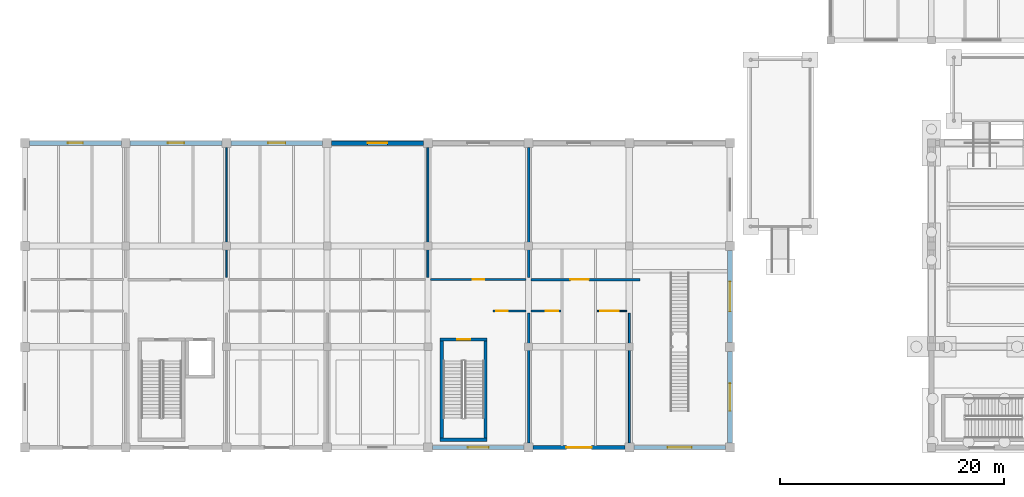
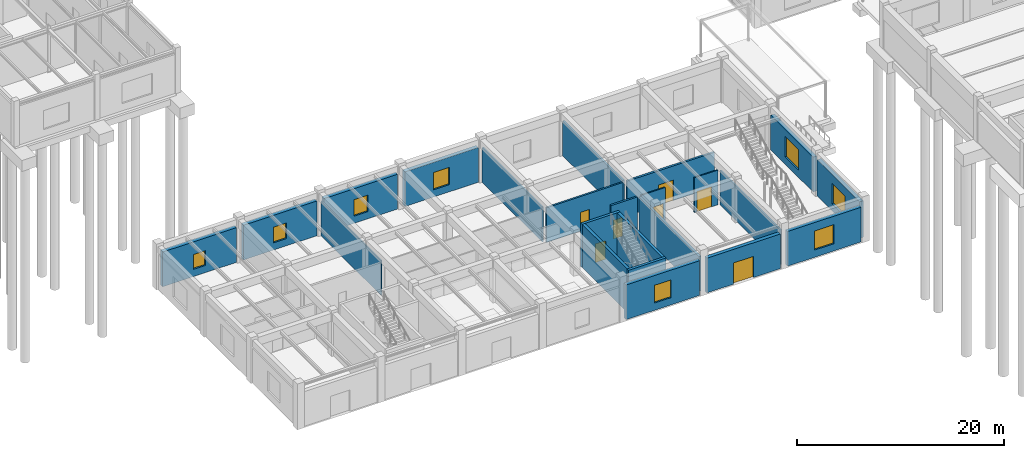
# One storey, part 54 of 76: 23 walls, 8 windows, 7 doors, 15 openings.
"""IFC4 building model written with IfcOpenShell, lengths in metres."""

from ifc_helpers import new_model, si_unit, direction, frame, frame_2d, origin, place, context, subcontext, project, spatial, rectangle, extrude, material, layer, layer_set, type_object, element, fill, save


model = new_model("IFC4")

# Units and contexts
model_context = context("Model", 3, precision=1e-05, world=origin(), true_north=direction((0.0, 1.0)))
body_context = subcontext(model_context, "Body", "Model", "MODEL_VIEW")
ifc_project = project(units=[si_unit("LENGTHUNIT", "METRE"), si_unit("AREAUNIT", "SQUARE_METRE"), si_unit("VOLUMEUNIT", "CUBIC_METRE"), si_unit("PLANEANGLEUNIT", "RADIAN"), si_unit("MASSUNIT", "GRAM", prefix="KILO")], contexts=[model_context])

# Site, building, storey
site_placement = place(None, origin())
site = spatial("IfcSite", under=ifc_project, at=site_placement, CompositionType="ELEMENT")
building_placement = place(site_placement, origin())
building = spatial("IfcBuilding", under=site, at=building_placement, Name="Bozkorgan Art Gallery", CompositionType="ELEMENT")
storey_placement = place(building_placement, origin())
storey = spatial("IfcBuildingStorey", under=building, at=storey_placement, Name="L00", CompositionType="ELEMENT", Elevation=0.0)

# Wall, opening, door
ifc_material_1 = material(Name="Concrete C40/50", Category="concrete")
ifc_layer_1 = layer(ifc_material_1, 0.300048828125, Name="Concrete C40/50")
ifc_layer_set_1 = layer_set([ifc_layer_1], Name="Concrete C40/50")
wall_type_1 = type_object("IfcWallType", Name="IWALL-CW-44", PredefinedType="SHEAR", material=ifc_layer_set_1)
wall_1_placement = place(storey_placement, frame((39.10009765625, 11.64990234375, 0.0), z_axis=(0.0, 0.0, 1.0), x_axis=(1.0, 0.0, 0.0)))
wall_1 = element("IfcWall", 1, at=wall_1_placement, inside=storey, type_object=wall_type_1, Name="CORE7 L00 stair core north shear wall", PredefinedType="SHEAR", context=body_context, shape_type="SweptSolid", body=[
    extrude(rectangle(XDim=4.199951171875, YDim=0.300048828125, at=frame_2d((2.10009765625, 0.0))), origin(), (0.0, 0.0, 1.0), 5.1201171875),
])
opening_1_placement = place(wall_1_placement, frame((1.52490234375, 0.0, 0.0)))
opening_1 = element("IfcOpeningElement", 2, at=opening_1_placement, cuts=wall_1, Name="Opening SD-41", PredefinedType="OPENING", context=body_context, shape_type="SweptSolid", body=[
    extrude(rectangle(XDim=1.14990234375, YDim=2.199951171875, at=frame_2d((0.574951171875, 1.10009765625))), frame((0.0, 0.16015625, 0.0), z_axis=(0.0, -1.0, 0.0), x_axis=(1.0, 0.0, 0.0)), (0.0, 0.0, 1.0), 0.320068359375),
])
ifc_material_2 = material(Name="Steel S355J2", Category="steel")
door_type_1 = type_object("IfcDoorType", Name="IDOOR-SD-41", OperationType="NOTDEFINED", PredefinedType="DOOR", material=ifc_material_2)
door_1_placement = place(opening_1_placement, origin())
door_1 = element("IfcDoor", 3, at=door_1_placement, inside=storey, type_object=door_type_1, Name="ST12 L00 Fire Stair Door", OperationType="SINGLE_SWING_LEFT", OverallHeight=2.199951171875, OverallWidth=1.14990234375, PredefinedType="DOOR", context=body_context, shape_type="SweptSolid", body=[
    extrude(rectangle(XDim=1.14990234375, YDim=2.199951171875, at=frame_2d((0.574951171875, 1.10009765625))), frame((0.0, 0.02490234375, 0.0), z_axis=(0.0, -1.0, 0.0), x_axis=(1.0, 0.0, 0.0)), (0.0, 0.0, 1.0), 0.050048828125),
])
fill(opening_1, door_1)

# Walls
wall_2_placement = place(storey_placement, frame((39.10009765625, 2.699951171875, 0.0), z_axis=(0.0, 0.0, 1.0), x_axis=(1.0, 0.0, 0.0)))
element("IfcWall", 4, at=wall_2_placement, inside=storey, type_object=wall_type_1, Name="CORE7 L00 stair core S shear wall", PredefinedType="SHEAR", context=body_context, shape_type="SweptSolid", body=[
    extrude(rectangle(XDim=4.199951171875, YDim=0.300048828125, at=frame_2d((2.10009765625, 0.0))), origin(), (0.0, 0.0, 1.0), 5.1201171875),
])
for number, where, z_axis, x_axis, name in (
    (5, (39.25, 2.85009765625, 0.0), (0.0, 0.0, 1.0), (0.0, 1.0, 0.0), "CORE7 L00 stair core W shear wall"),
    (6, (43.14990234375, 2.85009765625, 0.0), (0.0, 0.0, 1.0), (0.0, 1.0, 0.0), "CORE7 L00 stair core E shear wall"),
):
    element("IfcWall", number, at=place(storey_placement, frame(where, z_axis=z_axis, x_axis=x_axis)), inside=storey, type_object=wall_type_1, Name=name, PredefinedType="SHEAR", context=body_context, shape_type="SweptSolid", body=[
        extrude(rectangle(XDim=8.64990234375, YDim=0.300048828125, at=frame_2d((4.324951171875, 0.0))), origin(), (0.0, 0.0, 1.0), 5.1201171875),
    ])

# Wall, opening, door
ifc_material_3 = material(Name="Acoustic Gypsum & Mineral Wool Partition")
ifc_layer_2 = layer(ifc_material_3, 0.22998046875, Name="Acoustic Gypsum & Mineral Wool Partition")
ifc_layer_set_2 = layer_set([ifc_layer_2], Name="Acoustic Gypsum & Mineral Wool Partition")
wall_type_2 = type_object("IfcWallType", Name="IWALL-PR-08", PredefinedType="PARTITIONING", material=ifc_layer_set_2)
wall_3_placement = place(storey_placement, frame((47.219970703125, 17.0, 0.0), z_axis=(0.0, 0.0, 1.0), x_axis=(1.0, 0.0, 0.0)))
wall_3 = element("IfcWall", 7, at=wall_3_placement, inside=storey, type_object=wall_type_2, Name="V1 L00 acoustic partition wall 35", PredefinedType="PARTITIONING", context=body_context, shape_type="SweptSolid", body=[
    extrude(rectangle(XDim=9.72998046875, YDim=0.22998046875, at=frame_2d((4.864990234375, 0.0))), origin(), (0.0, 0.0, 1.0), 4.094970703125),
])
opening_2_placement = place(wall_3_placement, frame((5.172607421875, 0.0, 0.0), z_axis=(0.0, 0.0, 1.0), x_axis=(-1.0, 0.0, 0.0)))
opening_2 = element("IfcOpeningElement", 8, at=opening_2_placement, cuts=wall_3, Name="Opening GD-38", PredefinedType="OPENING", context=body_context, shape_type="SweptSolid", body=[
    extrude(rectangle(XDim=1.659912109375, YDim=2.419921875, at=frame_2d((0.830078125, 1.2099609375))), frame((0.0, 0.125, 0.0), z_axis=(0.0, -1.0, 0.0), x_axis=(1.0, 0.0, 0.0)), (0.0, 0.0, 1.0), 0.25),
])
ifc_material_4 = material(Name="Oiled European Oak Joinery")
door_type_2 = type_object("IfcDoorType", Name="IDOOR-GD-38", OperationType="NOTDEFINED", PredefinedType="DOOR", material=ifc_material_4)
door_2_placement = place(opening_2_placement, origin())
door_2 = element("IfcDoor", 9, at=door_2_placement, inside=storey, type_object=door_type_2, Name="Cloakroom Reception Hall Door", OperationType="DOUBLE_DOOR_SINGLE_SWING", OverallHeight=2.419921875, OverallWidth=1.659912109375, PredefinedType="DOOR", context=body_context, shape_type="SweptSolid", body=[
    extrude(rectangle(XDim=1.659912109375, YDim=2.419921875, at=frame_2d((0.830078125, 1.2099609375))), frame((0.0, 0.02490234375, 0.0), z_axis=(0.0, -1.0, 0.0), x_axis=(1.0, 0.0, 0.0)), (0.0, 0.0, 1.0), 0.050048828125),
])
fill(opening_2, door_2)

ifc_layer_3 = layer(ifc_material_3, 0.2099609375, Name="Acoustic Gypsum & Mineral Wool Partition")
ifc_layer_set_3 = layer_set([ifc_layer_3], Name="Acoustic Gypsum & Mineral Wool Partition")
wall_type_3 = type_object("IfcWallType", Name="IWALL-PR-38", PredefinedType="PARTITIONING", material=ifc_layer_set_3)
wall_4_placement = place(storey_placement, frame((43.820068359375, 14.199951171875, 0.0), z_axis=(0.0, 0.0, 1.0), x_axis=(1.0, 0.0, 0.0)))
wall_4 = element("IfcWall", 10, at=wall_4_placement, inside=storey, type_object=wall_type_3, Name="V1 L00 acoustic partition wall 22", PredefinedType="PARTITIONING", context=body_context, shape_type="SweptSolid", body=[
    extrude(rectangle(XDim=2.9599609375, YDim=0.2099609375, at=frame_2d((1.47998046875, 0.0))), origin(), (0.0, 0.0, 1.0), 4.094970703125),
])
opening_3_placement = place(wall_4_placement, frame((0.300048828125, 0.0, 0.0)))
opening_3 = element("IfcOpeningElement", 11, at=opening_3_placement, cuts=wall_4, Name="Opening FD-60", PredefinedType="OPENING", context=body_context, shape_type="SweptSolid", body=[
    extrude(rectangle(XDim=1.0, YDim=2.199951171875, at=frame_2d((0.5, 1.10009765625))), frame((0.0, 0.114990234375, 0.0), z_axis=(0.0, -1.0, 0.0), x_axis=(1.0, 0.0, 0.0)), (0.0, 0.0, 1.0), 0.22998046875),
])
door_type_3 = type_object("IfcDoorType", Name="IDOOR-FD-60", OperationType="NOTDEFINED", PredefinedType="DOOR", material=ifc_material_4)
door_3_placement = place(opening_3_placement, origin())
door_3 = element("IfcDoor", 12, at=door_3_placement, inside=storey, type_object=door_type_3, Name="Museum Bookshop Door", OperationType="SINGLE_SWING_LEFT", OverallHeight=2.199951171875, OverallWidth=1.0, PredefinedType="DOOR", context=body_context, shape_type="SweptSolid", body=[
    extrude(rectangle(XDim=1.0, YDim=2.199951171875, at=frame_2d((0.5, 1.10009765625))), frame((0.0, 0.02490234375, 0.0), z_axis=(0.0, -1.0, 0.0), x_axis=(1.0, 0.0, 0.0)), (0.0, 0.0, 1.0), 0.050048828125),
])
fill(opening_3, door_3)

ifc_layer_4 = layer(ifc_material_3, 0.14990234375, Name="Acoustic Gypsum & Mineral Wool Partition")
ifc_layer_set_4 = layer_set([ifc_layer_4], Name="Acoustic Gypsum & Mineral Wool Partition")
wall_type_4 = type_object("IfcWallType", Name="IWALL-PR-55", PredefinedType="PARTITIONING", material=ifc_layer_set_4)
wall_5_placement = place(storey_placement, frame((47.219970703125, 14.199951171875, 0.0), z_axis=(0.0, 0.0, 1.0), x_axis=(1.0, 0.0, 0.0)))
wall_5 = element("IfcWall", 13, at=wall_5_placement, inside=storey, type_object=wall_type_4, Name="V1 L00 acoustic partition wall 25", PredefinedType="PARTITIONING", context=body_context, shape_type="SweptSolid", body=[
    extrude(rectangle(XDim=2.659912109375, YDim=0.14990234375, at=frame_2d((1.330078125, 0.0))), origin(), (0.0, 0.0, 1.0), 4.094970703125),
])
opening_4_placement = place(wall_5_placement, frame((1.320068359375, 0.0, 0.0)))
opening_4 = element("IfcOpeningElement", 14, at=opening_4_placement, cuts=wall_5, Name="Opening FD-89", PredefinedType="OPENING", context=body_context, shape_type="SweptSolid", body=[
    extrude(rectangle(XDim=1.1201171875, YDim=2.260009765625, at=frame_2d((0.56005859375, 1.1298828125))), frame((0.0, 0.0849609375, 0.0), z_axis=(0.0, -1.0, 0.0), x_axis=(1.0, 0.0, 0.0)), (0.0, 0.0, 1.0), 0.169921875),
])
door_type_4 = type_object("IfcDoorType", Name="IDOOR-FD-89", OperationType="NOTDEFINED", PredefinedType="DOOR", material=ifc_material_4)
door_4_placement = place(opening_4_placement, origin())
door_4 = element("IfcDoor", 15, at=door_4_placement, inside=storey, type_object=door_type_4, Name="Fire Control Room Door", OperationType="SINGLE_SWING_LEFT", OverallHeight=2.260009765625, OverallWidth=1.1201171875, PredefinedType="DOOR", context=body_context, shape_type="SweptSolid", body=[
    extrude(rectangle(XDim=1.1201171875, YDim=2.260009765625, at=frame_2d((0.56005859375, 1.1298828125))), frame((0.0, 0.02490234375, 0.0), z_axis=(0.0, -1.0, 0.0), x_axis=(1.0, 0.0, 0.0)), (0.0, 0.0, 1.0), 0.050048828125),
])
fill(opening_4, door_4)

ifc_layer_5 = layer(ifc_material_3, 0.18994140625, Name="Acoustic Gypsum & Mineral Wool Partition")
ifc_layer_set_5 = layer_set([ifc_layer_5], Name="Acoustic Gypsum & Mineral Wool Partition")
wall_type_5 = type_object("IfcWallType", Name="IWALL-PR-66", PredefinedType="PARTITIONING", material=ifc_layer_set_5)
wall_6_placement = place(storey_placement, frame((38.219970703125, 17.0, 0.0), z_axis=(0.0, 0.0, 1.0), x_axis=(1.0, 0.0, 0.0)))
wall_6 = element("IfcWall", 16, at=wall_6_placement, inside=storey, type_object=wall_type_5, Name="V1 L00 acoustic partition wall 33", PredefinedType="PARTITIONING", context=body_context, shape_type="SweptSolid", body=[
    extrude(rectangle(XDim=8.56005859375, YDim=0.18994140625, at=frame_2d((4.280029296875, 0.0))), origin(), (0.0, 0.0, 1.0), 4.094970703125),
])
opening_5_placement = place(wall_6_placement, frame((4.820068359375, 0.0, 0.0), z_axis=(0.0, 0.0, 1.0), x_axis=(-1.0, 0.0, 0.0)))
opening_5 = element("IfcOpeningElement", 17, at=opening_5_placement, cuts=wall_6, Name="Opening FD-96", PredefinedType="OPENING", context=body_context, shape_type="SweptSolid", body=[
    extrude(rectangle(XDim=1.0400390625, YDim=2.219970703125, at=frame_2d((0.52001953125, 1.10986328125))), frame((0.0, 0.10498046875, 0.0), z_axis=(0.0, -1.0, 0.0), x_axis=(1.0, 0.0, 0.0)), (0.0, 0.0, 1.0), 0.2099609375),
])
door_type_5 = type_object("IfcDoorType", Name="IDOOR-FD-96", OperationType="NOTDEFINED", PredefinedType="DOOR", material=ifc_material_4)
door_5_placement = place(opening_5_placement, origin())
door_5 = element("IfcDoor", 18, at=door_5_placement, inside=storey, type_object=door_type_5, Name="Grand Ticketing Foyer Door", OperationType="SINGLE_SWING_LEFT", OverallHeight=2.219970703125, OverallWidth=1.0400390625, PredefinedType="DOOR", context=body_context, shape_type="SweptSolid", body=[
    extrude(rectangle(XDim=1.0400390625, YDim=2.219970703125, at=frame_2d((0.52001953125, 1.10986328125))), frame((0.0, 0.02490234375, 0.0), z_axis=(0.0, -1.0, 0.0), x_axis=(1.0, 0.0, 0.0)), (0.0, 0.0, 1.0), 0.050048828125),
])
fill(opening_5, door_5)

ifc_layer_6 = layer(ifc_material_3, 0.1298828125, Name="Acoustic Gypsum & Mineral Wool Partition")
ifc_layer_set_6 = layer_set([ifc_layer_6], Name="Acoustic Gypsum & Mineral Wool Partition")
wall_type_6 = type_object("IfcWallType", Name="IWALL-PR-76", PredefinedType="PARTITIONING", material=ifc_layer_set_6)
wall_7_placement = place(storey_placement, frame((53.1201171875, 14.199951171875, 0.0), z_axis=(0.0, 0.0, 1.0), x_axis=(1.0, 0.0, 0.0)))
wall_7 = element("IfcWall", 19, at=wall_7_placement, inside=storey, type_object=wall_type_6, Name="V1 L00 acoustic partition wall 24", PredefinedType="PARTITIONING", context=body_context, shape_type="SweptSolid", body=[
    extrude(rectangle(XDim=2.659912109375, YDim=0.1298828125, at=frame_2d((1.330078125, 0.0))), origin(), (0.0, 0.0, 1.0), 4.094970703125),
])
opening_6_placement = place(wall_7_placement, frame((0.300048828125, 0.0, 0.0)))
opening_6 = element("IfcOpeningElement", 20, at=opening_6_placement, cuts=wall_7, Name="Opening GD-81", PredefinedType="OPENING", context=body_context, shape_type="SweptSolid", body=[
    extrude(rectangle(XDim=1.6201171875, YDim=2.39990234375, at=frame_2d((0.81005859375, 1.199951171875))), frame((0.0, 0.074951171875, 0.0), z_axis=(0.0, -1.0, 0.0), x_axis=(1.0, 0.0, 0.0)), (0.0, 0.0, 1.0), 0.14990234375),
])
door_type_6 = type_object("IfcDoorType", Name="IDOOR-GD-81", OperationType="NOTDEFINED", PredefinedType="DOOR", material=ifc_material_4)
door_6_placement = place(opening_6_placement, origin())
door_6 = element("IfcDoor", 21, at=door_6_placement, inside=storey, type_object=door_type_6, Name="Orientation Gallery Door", OperationType="DOUBLE_DOOR_SINGLE_SWING", OverallHeight=2.39990234375, OverallWidth=1.6201171875, PredefinedType="DOOR", context=body_context, shape_type="SweptSolid", body=[
    extrude(rectangle(XDim=1.6201171875, YDim=2.39990234375, at=frame_2d((0.81005859375, 1.199951171875))), frame((0.0, 0.02490234375, 0.0), z_axis=(0.0, -1.0, 0.0), x_axis=(1.0, 0.0, 0.0)), (0.0, 0.0, 1.0), 0.050048828125),
])
fill(opening_6, door_6)

# Walls
ifc_layer_7 = layer(ifc_material_3, 0.169921875, Name="Acoustic Gypsum & Mineral Wool Partition")
ifc_layer_set_7 = layer_set([ifc_layer_7], Name="Acoustic Gypsum & Mineral Wool Partition")
wall_type_7 = type_object("IfcWallType", Name="IWALL-PW-02", PredefinedType="PARTITIONING", material=ifc_layer_set_7)
for number, where, z_axis, x_axis, name in (
    (22, (56.0, 2.39990234375, 0.0), (0.0, 0.0, 1.0), (0.0, 1.0, 0.0), "V1 L00 acoustic partition wall 26"),
    (23, (38.0, 17.199951171875, 0.0), (0.0, 0.0, 1.0), (0.0, 1.0, 0.0), "V1 L00 acoustic partition wall 32"),
):
    element("IfcWall", number, at=place(storey_placement, frame(where, z_axis=z_axis, x_axis=x_axis)), inside=storey, type_object=wall_type_7, Name=name, PredefinedType="PARTITIONING", context=body_context, shape_type="SweptSolid", body=[
        extrude(rectangle(XDim=11.60009765625, YDim=0.169921875, at=frame_2d((5.800048828125, 0.0))), origin(), (0.0, 0.0, 1.0), 4.094970703125),
    ])
ifc_layer_8 = layer(ifc_material_3, 0.2099609375, Name="Acoustic Gypsum & Mineral Wool Partition")
ifc_layer_set_8 = layer_set([ifc_layer_8], Name="Acoustic Gypsum & Mineral Wool Partition")
wall_type_8 = type_object("IfcWallType", Name="IWALL-PW-72", PredefinedType="PARTITIONING", material=ifc_layer_set_8)
wall_8_placement = place(storey_placement, frame((47.0, 17.199951171875, 0.0), z_axis=(0.0, 0.0, 1.0), x_axis=(0.0, 1.0, 0.0)))
element("IfcWall", 24, at=wall_8_placement, inside=storey, type_object=wall_type_8, Name="V1 L00 acoustic partition wall 34", PredefinedType="PARTITIONING", context=body_context, shape_type="SweptSolid", body=[
    extrude(rectangle(XDim=11.60009765625, YDim=0.2099609375, at=frame_2d((5.800048828125, 0.0))), origin(), (0.0, 0.0, 1.0), 4.094970703125),
])
ifc_layer_9 = layer(ifc_material_3, 0.22998046875, Name="Acoustic Gypsum & Mineral Wool Partition")
ifc_layer_set_9 = layer_set([ifc_layer_9], Name="Acoustic Gypsum & Mineral Wool Partition")
wall_type_9 = type_object("IfcWallType", Name="IWALL-PW-96", PredefinedType="PARTITIONING", material=ifc_layer_set_9)
wall_9_placement = place(storey_placement, frame((47.0, 2.39990234375, 0.0), z_axis=(0.0, 0.0, 1.0), x_axis=(0.0, 1.0, 0.0)))
element("IfcWall", 25, at=wall_9_placement, inside=storey, type_object=wall_type_9, Name="V1 L00 acoustic partition wall 23", PredefinedType="PARTITIONING", context=body_context, shape_type="SweptSolid", body=[
    extrude(rectangle(XDim=11.60009765625, YDim=0.22998046875, at=frame_2d((5.800048828125, 0.0))), origin(), (0.0, 0.0, 1.0), 4.094970703125),
])
ifc_layer_10 = layer(ifc_material_3, 0.1298828125, Name="Acoustic Gypsum & Mineral Wool Partition")
ifc_layer_set_10 = layer_set([ifc_layer_10], Name="Acoustic Gypsum & Mineral Wool Partition")
wall_type_10 = type_object("IfcWallType", Name="IWALL-PW-97", PredefinedType="PARTITIONING", material=ifc_layer_set_10)
wall_10_placement = place(storey_placement, frame((20.0, 17.199951171875, 0.0), z_axis=(0.0, 0.0, 1.0), x_axis=(0.0, 1.0, 0.0)))
element("IfcWall", 26, at=wall_10_placement, inside=storey, type_object=wall_type_10, Name="V1 L00 acoustic partition wall 30", PredefinedType="PARTITIONING", context=body_context, shape_type="SweptSolid", body=[
    extrude(rectangle(XDim=11.60009765625, YDim=0.1298828125, at=frame_2d((5.800048828125, 0.0))), origin(), (0.0, 0.0, 1.0), 4.094970703125),
])

# Wall, opening, door
ifc_material_5 = material(Name="Kordai Rose Granite Ashlar", Category="masonry")
ifc_layer_11 = layer(ifc_material_5, 0.39990234375, Name="Kordai Rose Granite Ashlar")
ifc_layer_set_11 = layer_set([ifc_layer_11], Name="Kordai Rose Granite Ashlar")
wall_type_11 = type_object("IfcWallType", Name="WALL-EW-92", PredefinedType="STANDARD", material=ifc_layer_set_11)
wall_11_placement = place(storey_placement, frame((47.39990234375, 2.0, 0.0), z_axis=(0.0, 0.0, 1.0), x_axis=(1.0, 0.0, 0.0)))
wall_11 = element("IfcWall", 27, at=wall_11_placement, inside=storey, type_object=wall_type_11, Name="V1 L00 entrance portal wall (ED02)", PredefinedType="STANDARD", context=body_context, shape_type="SweptSolid", body=[
    extrude(rectangle(XDim=8.2001953125, YDim=0.39990234375, at=frame_2d((4.10009765625, 0.0))), origin(), (0.0, 0.0, 1.0), 4.094970703125),
])
opening_7_placement = place(wall_11_placement, frame((5.22509765625, 0.0, 0.0), z_axis=(0.0, 0.0, 1.0), x_axis=(-1.0, 0.0, 0.0)))
opening_7 = element("IfcOpeningElement", 28, at=opening_7_placement, cuts=wall_11, Name="Opening ED-28", PredefinedType="OPENING", context=body_context, shape_type="SweptSolid", body=[
    extrude(rectangle(XDim=2.25, YDim=2.5, at=frame_2d((1.125, 1.25))), frame((0.0, 0.2099609375, 0.0), z_axis=(0.0, -1.0, 0.0), x_axis=(1.0, 0.0, 0.0)), (0.0, 0.0, 1.0), 0.419921875),
])
ifc_material_6 = material(Name="Anodised Bronze Aluminium", Category="aluminium")
door_type_7 = type_object("IfcDoorType", Name="DOOR-ED-28", OperationType="NOTDEFINED", PredefinedType="DOOR", material=ifc_material_6)
door_7_placement = place(opening_7_placement, origin())
door_7 = element("IfcDoor", 29, at=door_7_placement, inside=storey, type_object=door_type_7, Name="ED02 Final Exit Portal Door", OperationType="DOUBLE_DOOR_SINGLE_SWING", OverallHeight=2.5, OverallWidth=2.25, PredefinedType="DOOR", context=body_context, shape_type="SweptSolid", body=[
    extrude(rectangle(XDim=2.25, YDim=2.5, at=frame_2d((1.125, 1.25))), frame((0.0, 0.02490234375, 0.0), z_axis=(0.0, -1.0, 0.0), x_axis=(1.0, 0.0, 0.0)), (0.0, 0.0, 1.0), 0.050048828125),
])
fill(opening_7, door_7)

# Wall, opening, window
ifc_layer_12 = layer(ifc_material_5, 0.419921875, Name="Kordai Rose Granite Ashlar")
ifc_layer_set_12 = layer_set([ifc_layer_12], Name="Kordai Rose Granite Ashlar")
wall_type_12 = type_object("IfcWallType", Name="WALL-WG-54", PredefinedType="STANDARD", material=ifc_layer_set_12)
wall_12_placement = place(storey_placement, frame((2.39990234375, 29.199951171875, 0.0), z_axis=(0.0, 0.0, 1.0), x_axis=(1.0, 0.0, 0.0)))
wall_12 = element("IfcWall", 30, at=wall_12_placement, inside=storey, type_object=wall_type_12, Name="V1 L00 exterior facade wall 1N-2", PredefinedType="STANDARD", context=body_context, shape_type="SweptSolid", body=[
    extrude(rectangle(XDim=8.2001953125, YDim=0.419921875, at=frame_2d((4.10009765625, 0.0))), origin(), (0.0, 0.0, 1.0), 4.094970703125),
])
opening_8_placement = place(wall_12_placement, frame((3.425048828125, 0.0, 0.85009765625)))
opening_8 = element("IfcOpeningElement", 31, at=opening_8_placement, cuts=wall_12, Name="Opening WN-63", PredefinedType="OPENING", context=body_context, shape_type="SweptSolid", body=[
    extrude(rectangle(XDim=1.35009765625, YDim=1.75, at=frame_2d((0.675048828125, 0.875))), frame((0.0, 0.219970703125, 0.0), z_axis=(0.0, -1.0, 0.0), x_axis=(1.0, 0.0, 0.0)), (0.0, 0.0, 1.0), 0.43994140625),
])
ifc_material_7 = material(Name="Triple Low-E Laminated Glass", Category="glass")
window_type_1 = type_object("IfcWindowType", Name="WIN-WN-63", PartitioningType="SINGLE_PANEL", PredefinedType="WINDOW", material=ifc_material_7)
window_1_placement = place(opening_8_placement, origin())
window_1 = element("IfcWindow", 32, at=window_1_placement, inside=storey, type_object=window_type_1, Name="V1 L00 gallery window 1N-2", OverallHeight=1.75, OverallWidth=1.35009765625, PartitioningType="SINGLE_PANEL", PredefinedType="WINDOW", context=body_context, shape_type="SweptSolid", body=[
    extrude(rectangle(XDim=1.35009765625, YDim=1.75, at=frame_2d((0.675048828125, 0.875))), frame((0.0, 0.030029296875, 0.0), z_axis=(0.0, -1.0, 0.0), x_axis=(1.0, 0.0, 0.0)), (0.0, 0.0, 1.0), 0.06005859375),
])
fill(opening_8, window_1)

wall_13_placement = place(storey_placement, frame((11.39990234375, 29.199951171875, 0.0), z_axis=(0.0, 0.0, 1.0), x_axis=(1.0, 0.0, 0.0)))
wall_13 = element("IfcWall", 33, at=wall_13_placement, inside=storey, type_object=wall_type_12, Name="V1 L00 exterior facade wall 1N-4", PredefinedType="STANDARD", context=body_context, shape_type="SweptSolid", body=[
    extrude(rectangle(XDim=8.2001953125, YDim=0.419921875, at=frame_2d((4.10009765625, 0.0))), origin(), (0.0, 0.0, 1.0), 4.094970703125),
])
opening_9_placement = place(wall_13_placement, frame((3.375, 0.0, 0.85009765625)))
opening_9 = element("IfcOpeningElement", 34, at=opening_9_placement, cuts=wall_13, Name="Opening WN-34", PredefinedType="OPENING", context=body_context, shape_type="SweptSolid", body=[
    extrude(rectangle(XDim=1.449951171875, YDim=1.85009765625, at=frame_2d((0.72509765625, 0.925048828125))), frame((0.0, 0.219970703125, 0.0), z_axis=(0.0, -1.0, 0.0), x_axis=(1.0, 0.0, 0.0)), (0.0, 0.0, 1.0), 0.43994140625),
])
window_type_2 = type_object("IfcWindowType", Name="WIN-WN-34", PartitioningType="SINGLE_PANEL", PredefinedType="WINDOW", material=ifc_material_7)
window_2_placement = place(opening_9_placement, origin())
window_2 = element("IfcWindow", 35, at=window_2_placement, inside=storey, type_object=window_type_2, Name="V1 L00 gallery window 1N-4", OverallHeight=1.85009765625, OverallWidth=1.449951171875, PartitioningType="SINGLE_PANEL", PredefinedType="WINDOW", context=body_context, shape_type="SweptSolid", body=[
    extrude(rectangle(XDim=1.449951171875, YDim=1.85009765625, at=frame_2d((0.72509765625, 0.925048828125))), frame((0.0, 0.030029296875, 0.0), z_axis=(0.0, -1.0, 0.0), x_axis=(1.0, 0.0, 0.0)), (0.0, 0.0, 1.0), 0.06005859375),
])
fill(opening_9, window_2)

wall_14_placement = place(storey_placement, frame((20.39990234375, 29.199951171875, 0.0), z_axis=(0.0, 0.0, 1.0), x_axis=(1.0, 0.0, 0.0)))
wall_14 = element("IfcWall", 36, at=wall_14_placement, inside=storey, type_object=wall_type_12, Name="V1 L00 exterior facade wall 1N-6", PredefinedType="STANDARD", context=body_context, shape_type="SweptSolid", body=[
    extrude(rectangle(XDim=8.2001953125, YDim=0.419921875, at=frame_2d((4.10009765625, 0.0))), origin(), (0.0, 0.0, 1.0), 4.094970703125),
])
opening_10_placement = place(wall_14_placement, frame((3.324951171875, 0.0, 0.85009765625)))
opening_10 = element("IfcOpeningElement", 37, at=opening_10_placement, cuts=wall_14, Name="Opening WN-44", PredefinedType="OPENING", context=body_context, shape_type="SweptSolid", body=[
    extrude(rectangle(XDim=1.550048828125, YDim=1.949951171875, at=frame_2d((0.77490234375, 0.97509765625))), frame((0.0, 0.219970703125, 0.0), z_axis=(0.0, -1.0, 0.0), x_axis=(1.0, 0.0, 0.0)), (0.0, 0.0, 1.0), 0.43994140625),
])
window_type_3 = type_object("IfcWindowType", Name="WIN-WN-44", PartitioningType="SINGLE_PANEL", PredefinedType="WINDOW", material=ifc_material_7)
window_3_placement = place(opening_10_placement, origin())
window_3 = element("IfcWindow", 38, at=window_3_placement, inside=storey, type_object=window_type_3, Name="V1 L00 gallery window 1N-6", OverallHeight=1.949951171875, OverallWidth=1.550048828125, PartitioningType="SINGLE_PANEL", PredefinedType="WINDOW", context=body_context, shape_type="SweptSolid", body=[
    extrude(rectangle(XDim=1.550048828125, YDim=1.949951171875, at=frame_2d((0.77490234375, 0.97509765625))), frame((0.0, 0.030029296875, 0.0), z_axis=(0.0, -1.0, 0.0), x_axis=(1.0, 0.0, 0.0)), (0.0, 0.0, 1.0), 0.06005859375),
])
fill(opening_10, window_3)

wall_15_placement = place(storey_placement, frame((29.39990234375, 29.199951171875, 0.0), z_axis=(0.0, 0.0, 1.0), x_axis=(1.0, 0.0, 0.0)))
wall_15 = element("IfcWall", 39, at=wall_15_placement, inside=storey, type_object=wall_type_12, Name="V1 L00 exterior facade wall 1N-8", PredefinedType="STANDARD", context=body_context, shape_type="SweptSolid", body=[
    extrude(rectangle(XDim=8.2001953125, YDim=0.419921875, at=frame_2d((4.10009765625, 0.0))), origin(), (0.0, 0.0, 1.0), 4.094970703125),
])
opening_11_placement = place(wall_15_placement, frame((3.22509765625, 0.0, 0.85009765625)))
opening_11 = element("IfcOpeningElement", 40, at=opening_11_placement, cuts=wall_15, Name="Opening WN-98", PredefinedType="OPENING", context=body_context, shape_type="SweptSolid", body=[
    extrude(rectangle(XDim=1.75, YDim=2.050048828125, at=frame_2d((0.875, 1.02490234375))), frame((0.0, 0.219970703125, 0.0), z_axis=(0.0, -1.0, 0.0), x_axis=(1.0, 0.0, 0.0)), (0.0, 0.0, 1.0), 0.43994140625),
])
window_type_4 = type_object("IfcWindowType", Name="WIN-WN-98", PartitioningType="SINGLE_PANEL", PredefinedType="WINDOW", material=ifc_material_7)
window_4_placement = place(opening_11_placement, origin())
window_4 = element("IfcWindow", 41, at=window_4_placement, inside=storey, type_object=window_type_4, Name="V1 L00 gallery window 1N-8", OverallHeight=2.050048828125, OverallWidth=1.75, PartitioningType="SINGLE_PANEL", PredefinedType="WINDOW", context=body_context, shape_type="SweptSolid", body=[
    extrude(rectangle(XDim=1.75, YDim=2.050048828125, at=frame_2d((0.875, 1.02490234375))), frame((0.0, 0.030029296875, 0.0), z_axis=(0.0, -1.0, 0.0), x_axis=(1.0, 0.0, 0.0)), (0.0, 0.0, 1.0), 0.06005859375),
])
fill(opening_11, window_4)

wall_16_placement = place(storey_placement, frame((65.0, 2.39990234375, 0.0), z_axis=(0.0, 0.0, 1.0), x_axis=(0.0, 1.0, 0.0)))
wall_16 = element("IfcWall", 42, at=wall_16_placement, inside=storey, type_object=wall_type_12, Name="V1 L00 exterior facade wall 1E-16", PredefinedType="STANDARD", context=body_context, shape_type="SweptSolid", body=[
    extrude(rectangle(XDim=8.2001953125, YDim=0.419921875, at=frame_2d((4.10009765625, 0.0))), origin(), (0.0, 0.0, 1.0), 4.294921875),
])
opening_12_placement = place(wall_16_placement, frame((5.324951171875, 0.0, 0.85009765625), z_axis=(0.0, 0.0, 1.0), x_axis=(-1.0, 0.0, 0.0)))
opening_12 = element("IfcOpeningElement", 43, at=opening_12_placement, cuts=wall_16, Name="Opening WN-83", PredefinedType="OPENING", context=body_context, shape_type="SweptSolid", body=[
    extrude(rectangle(XDim=2.449951171875, YDim=2.39990234375, at=frame_2d((1.22509765625, 1.199951171875))), frame((0.0, 0.219970703125, 0.0), z_axis=(0.0, -1.0, 0.0), x_axis=(1.0, 0.0, 0.0)), (0.0, 0.0, 1.0), 0.43994140625),
])
window_type_5 = type_object("IfcWindowType", Name="WIN-WN-83", PartitioningType="SINGLE_PANEL", PredefinedType="WINDOW", material=ifc_material_7)
window_5_placement = place(opening_12_placement, origin())
window_5 = element("IfcWindow", 44, at=window_5_placement, inside=storey, type_object=window_type_5, Name="V1 L00 gallery window 1E-16", OverallHeight=2.39990234375, OverallWidth=2.449951171875, PartitioningType="SINGLE_PANEL", PredefinedType="WINDOW", context=body_context, shape_type="SweptSolid", body=[
    extrude(rectangle(XDim=2.449951171875, YDim=2.39990234375, at=frame_2d((1.22509765625, 1.199951171875))), frame((0.0, 0.030029296875, 0.0), z_axis=(0.0, -1.0, 0.0), x_axis=(1.0, 0.0, 0.0)), (0.0, 0.0, 1.0), 0.06005859375),
])
fill(opening_12, window_5)

wall_17_placement = place(storey_placement, frame((65.0, 11.39990234375, 0.0), z_axis=(0.0, 0.0, 1.0), x_axis=(0.0, 1.0, 0.0)))
wall_17 = element("IfcWall", 45, at=wall_17_placement, inside=storey, type_object=wall_type_12, Name="V1 L00 exterior facade wall 1E-18", PredefinedType="STANDARD", context=body_context, shape_type="SweptSolid", body=[
    extrude(rectangle(XDim=8.2001953125, YDim=0.419921875, at=frame_2d((4.10009765625, 0.0))), origin(), (0.0, 0.0, 1.0), 4.094970703125),
])
opening_13_placement = place(wall_17_placement, frame((5.4248046875, 0.0, 0.85009765625), z_axis=(0.0, 0.0, 1.0), x_axis=(-1.0, 0.0, 0.0)))
opening_13 = element("IfcOpeningElement", 46, at=opening_13_placement, cuts=wall_17, Name="Opening WN-80", PredefinedType="OPENING", context=body_context, shape_type="SweptSolid", body=[
    extrude(rectangle(XDim=2.64990234375, YDim=2.449951171875, at=frame_2d((1.324951171875, 1.22509765625))), frame((0.0, 0.219970703125, 0.0), z_axis=(0.0, -1.0, 0.0), x_axis=(1.0, 0.0, 0.0)), (0.0, 0.0, 1.0), 0.43994140625),
])
window_type_6 = type_object("IfcWindowType", Name="WIN-WN-80", PartitioningType="SINGLE_PANEL", PredefinedType="WINDOW", material=ifc_material_7)
window_6_placement = place(opening_13_placement, origin())
window_6 = element("IfcWindow", 47, at=window_6_placement, inside=storey, type_object=window_type_6, Name="V1 L00 gallery window 1E-18", OverallHeight=2.449951171875, OverallWidth=2.64990234375, PartitioningType="SINGLE_PANEL", PredefinedType="WINDOW", context=body_context, shape_type="SweptSolid", body=[
    extrude(rectangle(XDim=2.64990234375, YDim=2.449951171875, at=frame_2d((1.324951171875, 1.22509765625))), frame((0.0, 0.030029296875, 0.0), z_axis=(0.0, -1.0, 0.0), x_axis=(1.0, 0.0, 0.0)), (0.0, 0.0, 1.0), 0.06005859375),
])
fill(opening_13, window_6)

ifc_layer_13 = layer(ifc_material_5, 0.39990234375, Name="Kordai Rose Granite Ashlar")
ifc_layer_set_13 = layer_set([ifc_layer_13], Name="Kordai Rose Granite Ashlar")
wall_type_13 = type_object("IfcWallType", Name="WALL-WG-66", PredefinedType="STANDARD", material=ifc_layer_set_13)
wall_18_placement = place(storey_placement, frame((38.39990234375, 2.0, 0.0), z_axis=(0.0, 0.0, 1.0), x_axis=(1.0, 0.0, 0.0)))
wall_18 = element("IfcWall", 48, at=wall_18_placement, inside=storey, type_object=wall_type_13, Name="V1 L00 exterior facade wall 1S-9", PredefinedType="STANDARD", context=body_context, shape_type="SweptSolid", body=[
    extrude(rectangle(XDim=8.2001953125, YDim=0.39990234375, at=frame_2d((4.10009765625, 0.0))), origin(), (0.0, 0.0, 1.0), 4.094970703125),
])
opening_14_placement = place(wall_18_placement, frame((5.025146484375, 0.0, 0.85009765625), z_axis=(0.0, 0.0, 1.0), x_axis=(-1.0, 0.0, 0.0)))
opening_14 = element("IfcOpeningElement", 49, at=opening_14_placement, cuts=wall_18, Name="Opening WN-04", PredefinedType="OPENING", context=body_context, shape_type="SweptSolid", body=[
    extrude(rectangle(XDim=1.85009765625, YDim=2.10009765625, at=frame_2d((0.925048828125, 1.050048828125))), frame((0.0, 0.2099609375, 0.0), z_axis=(0.0, -1.0, 0.0), x_axis=(1.0, 0.0, 0.0)), (0.0, 0.0, 1.0), 0.419921875),
])
window_type_7 = type_object("IfcWindowType", Name="WIN-WN-04", PartitioningType="SINGLE_PANEL", PredefinedType="WINDOW", material=ifc_material_7)
window_7_placement = place(opening_14_placement, origin())
window_7 = element("IfcWindow", 50, at=window_7_placement, inside=storey, type_object=window_type_7, Name="V1 L00 gallery window 1S-9", OverallHeight=2.10009765625, OverallWidth=1.85009765625, PartitioningType="SINGLE_PANEL", PredefinedType="WINDOW", context=body_context, shape_type="SweptSolid", body=[
    extrude(rectangle(XDim=1.85009765625, YDim=2.10009765625, at=frame_2d((0.925048828125, 1.050048828125))), frame((0.0, 0.030029296875, 0.0), z_axis=(0.0, -1.0, 0.0), x_axis=(1.0, 0.0, 0.0)), (0.0, 0.0, 1.0), 0.06005859375),
])
fill(opening_14, window_7)

wall_19_placement = place(storey_placement, frame((56.39990234375, 2.0, 0.0), z_axis=(0.0, 0.0, 1.0), x_axis=(1.0, 0.0, 0.0)))
wall_19 = element("IfcWall", 51, at=wall_19_placement, inside=storey, type_object=wall_type_13, Name="V1 L00 exterior facade wall 1S-13", PredefinedType="STANDARD", context=body_context, shape_type="SweptSolid", body=[
    extrude(rectangle(XDim=8.2001953125, YDim=0.39990234375, at=frame_2d((4.10009765625, 0.0))), origin(), (0.0, 0.0, 1.0), 4.094970703125),
])
opening_15_placement = place(wall_19_placement, frame((5.1748046875, 0.0, 0.85009765625), z_axis=(0.0, 0.0, 1.0), x_axis=(-1.0, 0.0, 0.0)))
opening_15 = element("IfcOpeningElement", 52, at=opening_15_placement, cuts=wall_19, Name="Opening WN-56", PredefinedType="OPENING", context=body_context, shape_type="SweptSolid", body=[
    extrude(rectangle(XDim=2.14990234375, YDim=2.25, at=frame_2d((1.074951171875, 1.125))), frame((0.0, 0.2099609375, 0.0), z_axis=(0.0, -1.0, 0.0), x_axis=(1.0, 0.0, 0.0)), (0.0, 0.0, 1.0), 0.419921875),
])
window_type_8 = type_object("IfcWindowType", Name="WIN-WN-56", PartitioningType="SINGLE_PANEL", PredefinedType="WINDOW", material=ifc_material_7)
window_8_placement = place(opening_15_placement, origin())
window_8 = element("IfcWindow", 53, at=window_8_placement, inside=storey, type_object=window_type_8, Name="V1 L00 gallery window 1S-13", OverallHeight=2.25, OverallWidth=2.14990234375, PartitioningType="SINGLE_PANEL", PredefinedType="WINDOW", context=body_context, shape_type="SweptSolid", body=[
    extrude(rectangle(XDim=2.14990234375, YDim=2.25, at=frame_2d((1.074951171875, 1.125))), frame((0.0, 0.030029296875, 0.0), z_axis=(0.0, -1.0, 0.0), x_axis=(1.0, 0.0, 0.0)), (0.0, 0.0, 1.0), 0.06005859375),
])
fill(opening_15, window_8)

save(model, "model.ifc")
